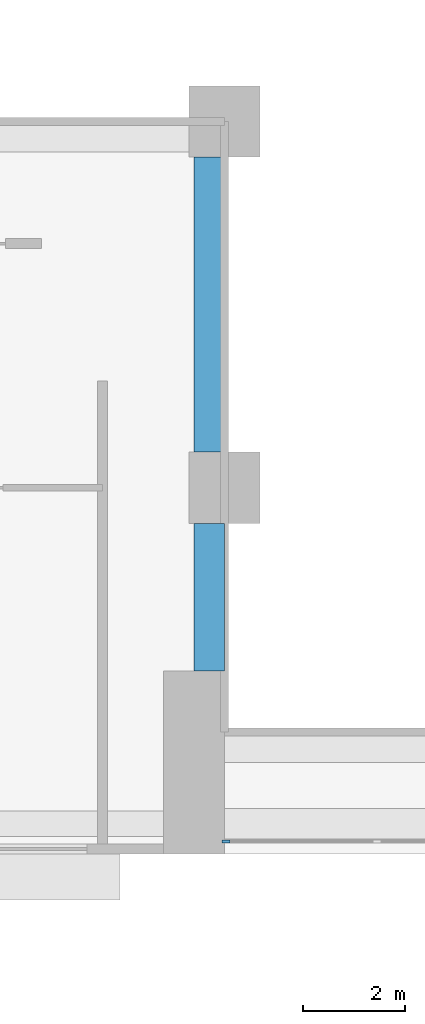
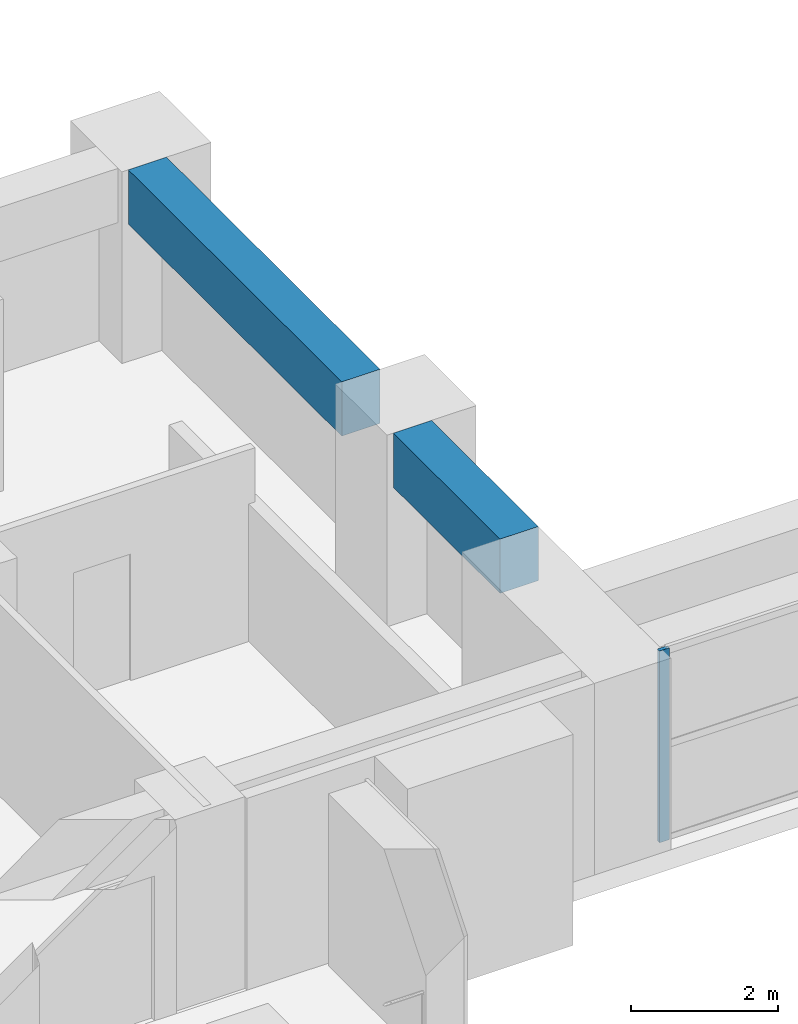
# One storey, part 2 of 17: 2 beams, 1 member, 1 element without a shape of its own.
"""IFC4 building model written with IfcOpenShell, lengths in metres."""

from ifc_helpers import new_model, si_unit, direction, frame, origin, origin_2d, place, context, subcontext, project, spatial, rectangle, extrude, source, transform, mapped, material, layer, layer_set, material_profile, profile_set, type_object, element, aggregate, save


model = new_model("IFC4")

# Units and contexts
model_context = context("Model", 3, precision=1e-05, world=origin(), true_north=direction((0.0, 1.0)))
body_context = subcontext(model_context, "Body", "Model", "MODEL_VIEW")
ifc_project = project(units=[si_unit("LENGTHUNIT", "METRE"), si_unit("AREAUNIT", "SQUARE_METRE"), si_unit("VOLUMEUNIT", "CUBIC_METRE"), si_unit("PLANEANGLEUNIT", "RADIAN"), si_unit("MASSUNIT", "GRAM", prefix="KILO")], contexts=[model_context])

# Site, building, storey
site_placement = place(None, origin())
site = spatial("IfcSite", under=ifc_project, at=site_placement, CompositionType="ELEMENT")
building_placement = place(site_placement, origin())
building = spatial("IfcBuilding", under=site, at=building_placement, Name="Saffron Iwan Residences", CompositionType="ELEMENT")
storey_placement = place(building_placement, frame((0.0, 0.0, 37.5)))
storey = spatial("IfcBuildingStorey", under=building, at=storey_placement, Name="L08", CompositionType="ELEMENT", Elevation=37.5)

# Beams
ifc_material_1 = material(Name="Concrete C60/75", Category="concrete")
ifc_material_profile_1 = material_profile(ifc_material_1, rectangle(XDim=0.60009765625, YDim=0.89990234375, at=origin_2d()), Name="RC 600x900")
ifc_profile_set_1 = profile_set([ifc_material_profile_1], Name="Concrete C60/75")
beam_type = type_object("IfcBeamType", Name="BEAM RC 600x900 C60/75 TOP 3180", PredefinedType="BEAM", material=ifc_profile_set_1)
shared_shape_1 = source(origin(), body_context, "Body", "SweptSolid", [
    extrude(rectangle(XDim=0.60009765625, YDim=0.89990234375, at=origin_2d()), origin(), (0.0, 0.0, 1.0), 2.900146484375),
])
beam_1_placement = place(storey_placement, frame((42.89990234375, 37.199951171875, 2.72998046875), z_axis=(0.0, 1.0, 0.0), x_axis=(-1.0, 0.0, 0.0)))
element("IfcBeam", 1, at=beam_1_placement, inside=storey, type_object=beam_type, Name="Atrium edge beam", PredefinedType="BEAM", context=body_context, shape_type="MappedRepresentation", body=[
    mapped(shared_shape_1, transform((0.0, 0.0, 0.0))),
])
shared_shape_2 = source(origin(), body_context, "Body", "SweptSolid", [
    extrude(rectangle(XDim=0.60009765625, YDim=0.89990234375, at=origin_2d()), origin(), (0.0, 0.0, 1.0), 5.800048828125),
])
beam_2_placement = place(storey_placement, frame((42.89990234375, 41.5, 2.72998046875), z_axis=(0.0, 1.0, 0.0), x_axis=(-1.0, 0.0, 0.0)))
element("IfcBeam", 2, at=beam_2_placement, inside=storey, type_object=beam_type, Name="Atrium edge beam", PredefinedType="BEAM", context=body_context, shape_type="MappedRepresentation", body=[
    mapped(shared_shape_2, transform((0.0, 0.0, 0.0))),
])

# Curtain wall, member
ifc_material_2 = material(Name="Clear glass, laminated double glazed", Category="glass")
ifc_layer = layer(ifc_material_2, 0.199951171875)
ifc_layer_set = layer_set([ifc_layer], Name="Clear glass, laminated double glazed")
curtain_wall_type = type_object("IfcCurtainWallType", Name="CW-B IWAN PORTAL", PredefinedType="NOTDEFINED", material=ifc_layer_set)
curtain_wall_placement = place(storey_placement, origin())
curtain_wall = element("IfcCurtainWall", 3, at=curtain_wall_placement, inside=storey, type_object=curtain_wall_type, Name="Iwan portal glazing L08.1", PredefinedType="NOTDEFINED")
ifc_material_3 = material(Name="Aluminium 6063-T6", Category="aluminium")
ifc_material_profile_2 = material_profile(ifc_material_3, rectangle(XDim=0.06005859375, YDim=0.159912109375, at=origin_2d()), Name="CW-B MULLION 60 x 160")
ifc_profile_set_2 = profile_set([ifc_material_profile_2], Name="Aluminium 6063-T6")
member_type = type_object("IfcMemberType", Name="CW-B MULLION 60 x 160", PredefinedType="MULLION", material=ifc_profile_set_2)
shared_shape_3 = source(origin(), body_context, "Body", "SweptSolid", [
    extrude(rectangle(XDim=0.06005859375, YDim=0.159912109375, at=origin_2d()), origin(), (0.0, 0.0, 1.0), 3.179931640625),
])
member_placement = place(storey_placement, frame((43.22998046875, 33.85009765625, 0.0), z_axis=(0.0, 0.0, 1.0), x_axis=(0.0, 1.0, 0.0)))
member = element("IfcMember", 4, at=member_placement, type_object=member_type, Name="CW-B mullion 1", PredefinedType="MULLION", context=body_context, shape_type="MappedRepresentation", body=[
    mapped(shared_shape_3, transform((0.0, 0.0, 0.0))),
])
aggregate(curtain_wall, [member])

save(model, "model.ifc")
